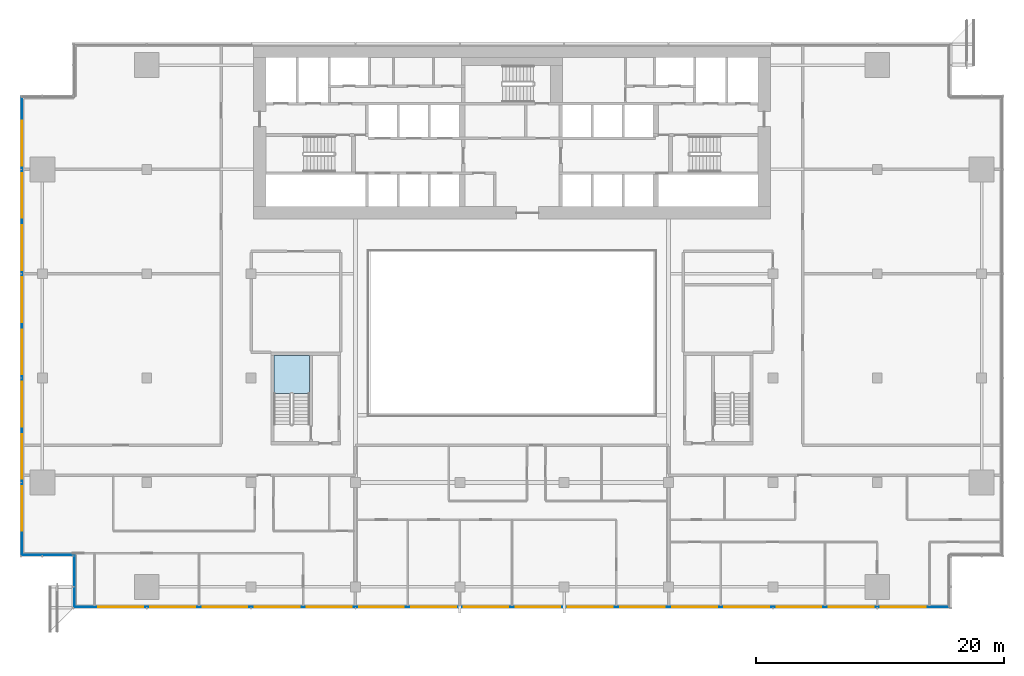
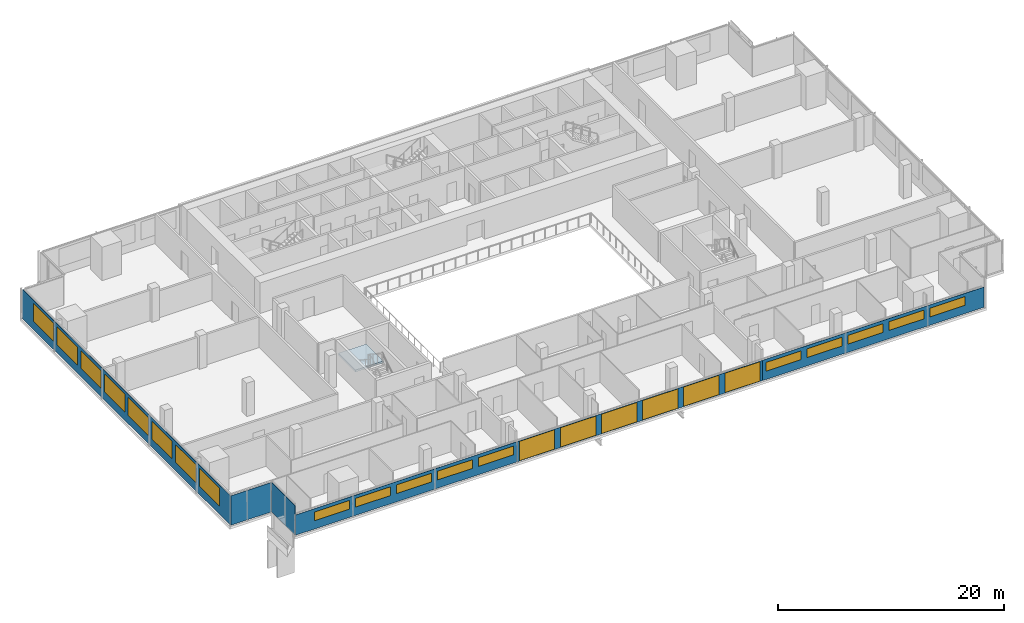
# One storey, part 15 of 26: 24 windows, 6 plates, 1 slab, 24 openings, 5 elements without a shape of their own.
"""IFC4 building model written with IfcOpenShell, lengths in metres."""

from ifc_helpers import new_model, si_unit, direction, frame, frame_2d, origin, place, context, subcontext, project, spatial, polyline, rectangle, outline, extrude, material, layer, layer_set, type_object, element, fill, aggregate, save


model = new_model("IFC4")

# Units and contexts
model_context = context("Model", 3, precision=1e-05, world=origin(), true_north=direction((0.0, 1.0)))
body_context = subcontext(model_context, "Body", "Model", "MODEL_VIEW")
ifc_project = project(units=[si_unit("LENGTHUNIT", "METRE"), si_unit("AREAUNIT", "SQUARE_METRE"), si_unit("VOLUMEUNIT", "CUBIC_METRE"), si_unit("PLANEANGLEUNIT", "RADIAN"), si_unit("MASSUNIT", "GRAM", prefix="KILO")], contexts=[model_context])

# Site, building, storey
site_placement = place(None, origin())
site = spatial("IfcSite", under=ifc_project, at=site_placement, CompositionType="ELEMENT")
building_placement = place(site_placement, origin())
building = spatial("IfcBuilding", under=site, at=building_placement, Name="Saffron Gate Tower", CompositionType="ELEMENT")
storey_placement = place(building_placement, frame((0.0, 0.0, 138.449951171875)))
storey = spatial("IfcBuildingStorey", under=building, at=storey_placement, Name="L33", CompositionType="ELEMENT", Elevation=138.449951171875)

# Curtain wall, plates, openings, windows
ifc_material_1 = material(Name="Aluminium, bronze anodised", Category="aluminium")
curtain_wall_type_1 = type_object("IfcCurtainWallType", Name="CWS1 curtain wall front facade", PredefinedType="NOTDEFINED", material=ifc_material_1)
curtain_wall_1_placement = place(storey_placement, origin())
curtain_wall_1 = element("IfcCurtainWall", 1, at=curtain_wall_1_placement, inside=storey, type_object=curtain_wall_type_1, Name="CWS1 run 1", PredefinedType="NOTDEFINED")
ifc_material_2 = material(Name="Clear low-iron laminated glass", Category="glass")
ifc_layer_1 = layer(ifc_material_2, 0.028076171875)
ifc_layer_set_1 = layer_set([ifc_layer_1], Name="CWS1 clear glass")
plate_type_1 = type_object("IfcPlateType", Name="CWS1 clear glass", PredefinedType="CURTAIN_PANEL", material=ifc_layer_set_1)
plate_1_placement = place(storey_placement, frame((75.030029296875, 30.174072265625, 0.0), z_axis=(0.0, 0.0, 1.0), x_axis=(1.0, 0.0, 0.0)))
plate_1 = element("IfcPlate", 2, at=plate_1_placement, type_object=plate_type_1, Name="CWS1 clear glass panel", PredefinedType="CURTAIN_PANEL", context=body_context, shape_type="SweptSolid", body=[
    extrude(rectangle(XDim=25.139892578125, YDim=0.028076171875, at=frame_2d((12.56982421875, 0.0))), origin(), (0.0, 0.0, 1.0), 2.18994140625),
])
opening_1_placement = place(plate_1_placement, frame((0.27001953125, 0.0, 0.050048828125)))
opening_1 = element("IfcOpeningElement", 3, at=opening_1_placement, cuts=plate_1, Name="Opening WA", PredefinedType="OPENING", context=body_context, shape_type="SweptSolid", body=[
    extrude(rectangle(XDim=3.60009765625, YDim=2.090087890625, at=frame_2d((1.800048828125, 1.044921875))), frame((0.0, 0.02392578125, 0.0), z_axis=(0.0, -1.0, 0.0), x_axis=(1.0, 0.0, 0.0)), (0.0, 0.0, 1.0), 0.048095703125),
])
opening_2_placement = place(plate_1_placement, frame((4.469970703125, 0.0, 0.050048828125)))
opening_2 = element("IfcOpeningElement", 4, at=opening_2_placement, cuts=plate_1, Name="Opening WA", PredefinedType="OPENING", context=body_context, shape_type="SweptSolid", body=[
    extrude(rectangle(XDim=3.60009765625, YDim=2.090087890625, at=frame_2d((1.800048828125, 1.044921875))), frame((0.0, 0.02392578125, 0.0), z_axis=(0.0, -1.0, 0.0), x_axis=(1.0, 0.0, 0.0)), (0.0, 0.0, 1.0), 0.048095703125),
])
opening_3_placement = place(plate_1_placement, frame((8.669921875, 0.0, 0.050048828125)))
opening_3 = element("IfcOpeningElement", 5, at=opening_3_placement, cuts=plate_1, Name="Opening WA", PredefinedType="OPENING", context=body_context, shape_type="SweptSolid", body=[
    extrude(rectangle(XDim=3.60009765625, YDim=2.090087890625, at=frame_2d((1.800048828125, 1.044921875))), frame((0.0, 0.02392578125, 0.0), z_axis=(0.0, -1.0, 0.0), x_axis=(1.0, 0.0, 0.0)), (0.0, 0.0, 1.0), 0.048095703125),
])
opening_4_placement = place(plate_1_placement, frame((12.8701171875, 0.0, 0.050048828125)))
opening_4 = element("IfcOpeningElement", 6, at=opening_4_placement, cuts=plate_1, Name="Opening WA", PredefinedType="OPENING", context=body_context, shape_type="SweptSolid", body=[
    extrude(rectangle(XDim=3.60009765625, YDim=2.090087890625, at=frame_2d((1.800048828125, 1.044921875))), frame((0.0, 0.02392578125, 0.0), z_axis=(0.0, -1.0, 0.0), x_axis=(1.0, 0.0, 0.0)), (0.0, 0.0, 1.0), 0.048095703125),
])
opening_5_placement = place(plate_1_placement, frame((17.070068359375, 0.0, 0.050048828125)))
opening_5 = element("IfcOpeningElement", 7, at=opening_5_placement, cuts=plate_1, Name="Opening WA", PredefinedType="OPENING", context=body_context, shape_type="SweptSolid", body=[
    extrude(rectangle(XDim=3.60009765625, YDim=2.090087890625, at=frame_2d((1.800048828125, 1.044921875))), frame((0.0, 0.02392578125, 0.0), z_axis=(0.0, -1.0, 0.0), x_axis=(1.0, 0.0, 0.0)), (0.0, 0.0, 1.0), 0.048095703125),
])
opening_6_placement = place(plate_1_placement, frame((21.27001953125, 0.0, 0.050048828125)))
opening_6 = element("IfcOpeningElement", 8, at=opening_6_placement, cuts=plate_1, Name="Opening WA", PredefinedType="OPENING", context=body_context, shape_type="SweptSolid", body=[
    extrude(rectangle(XDim=3.60009765625, YDim=2.090087890625, at=frame_2d((1.800048828125, 1.044921875))), frame((0.0, 0.02392578125, 0.0), z_axis=(0.0, -1.0, 0.0), x_axis=(1.0, 0.0, 0.0)), (0.0, 0.0, 1.0), 0.048095703125),
])
ifc_material_3 = material(Name="Clear low-iron laminated glass in bronze frame", Category="glass")
ifc_layer_2 = layer(ifc_material_3, 0.06005859375)
ifc_layer_set_2 = layer_set([ifc_layer_2], Name="WA operable atrium unit 3600x2090")
window_type_1 = type_object("IfcWindowType", Name="WA operable atrium unit 3600x2090", PartitioningType="DOUBLE_PANEL_HORIZONTAL", PredefinedType="WINDOW", material=ifc_layer_set_2)
window_1_placement = place(opening_1_placement, origin())
window_1 = element("IfcWindow", 9, at=window_1_placement, type_object=window_type_1, Name="WA operable atrium unit", OverallHeight=2.090087890625, OverallWidth=3.60009765625, PartitioningType="SINGLE_PANEL", PredefinedType="WINDOW", context=body_context, shape_type="SweptSolid", body=[
    extrude(rectangle(XDim=3.60009765625, YDim=2.090087890625, at=frame_2d((1.800048828125, 1.044921875))), frame((0.0, 0.013671875, 0.0), z_axis=(0.0, -1.0, 0.0), x_axis=(1.0, 0.0, 0.0)), (0.0, 0.0, 1.0), 0.027587890625),
])
fill(opening_1, window_1)
window_2_placement = place(opening_2_placement, origin())
window_2 = element("IfcWindow", 10, at=window_2_placement, type_object=window_type_1, Name="WA operable atrium unit", OverallHeight=2.090087890625, OverallWidth=3.60009765625, PartitioningType="SINGLE_PANEL", PredefinedType="WINDOW", context=body_context, shape_type="SweptSolid", body=[
    extrude(rectangle(XDim=3.60009765625, YDim=2.090087890625, at=frame_2d((1.800048828125, 1.044921875))), frame((0.0, 0.013671875, 0.0), z_axis=(0.0, -1.0, 0.0), x_axis=(1.0, 0.0, 0.0)), (0.0, 0.0, 1.0), 0.027587890625),
])
fill(opening_2, window_2)
window_3_placement = place(opening_3_placement, origin())
window_3 = element("IfcWindow", 11, at=window_3_placement, type_object=window_type_1, Name="WA operable atrium unit", OverallHeight=2.090087890625, OverallWidth=3.60009765625, PartitioningType="SINGLE_PANEL", PredefinedType="WINDOW", context=body_context, shape_type="SweptSolid", body=[
    extrude(rectangle(XDim=3.60009765625, YDim=2.090087890625, at=frame_2d((1.800048828125, 1.044921875))), frame((0.0, 0.013671875, 0.0), z_axis=(0.0, -1.0, 0.0), x_axis=(1.0, 0.0, 0.0)), (0.0, 0.0, 1.0), 0.027587890625),
])
fill(opening_3, window_3)
window_4_placement = place(opening_4_placement, origin())
window_4 = element("IfcWindow", 12, at=window_4_placement, type_object=window_type_1, Name="WA operable atrium unit", OverallHeight=2.090087890625, OverallWidth=3.60009765625, PartitioningType="SINGLE_PANEL", PredefinedType="WINDOW", context=body_context, shape_type="SweptSolid", body=[
    extrude(rectangle(XDim=3.60009765625, YDim=2.090087890625, at=frame_2d((1.800048828125, 1.044921875))), frame((0.0, 0.013671875, 0.0), z_axis=(0.0, -1.0, 0.0), x_axis=(1.0, 0.0, 0.0)), (0.0, 0.0, 1.0), 0.027587890625),
])
fill(opening_4, window_4)
window_5_placement = place(opening_5_placement, origin())
window_5 = element("IfcWindow", 13, at=window_5_placement, type_object=window_type_1, Name="WA operable atrium unit", OverallHeight=2.090087890625, OverallWidth=3.60009765625, PartitioningType="SINGLE_PANEL", PredefinedType="WINDOW", context=body_context, shape_type="SweptSolid", body=[
    extrude(rectangle(XDim=3.60009765625, YDim=2.090087890625, at=frame_2d((1.800048828125, 1.044921875))), frame((0.0, 0.013671875, 0.0), z_axis=(0.0, -1.0, 0.0), x_axis=(1.0, 0.0, 0.0)), (0.0, 0.0, 1.0), 0.027587890625),
])
fill(opening_5, window_5)
window_6_placement = place(opening_6_placement, origin())
window_6 = element("IfcWindow", 14, at=window_6_placement, type_object=window_type_1, Name="WA operable atrium unit", OverallHeight=2.090087890625, OverallWidth=3.60009765625, PartitioningType="SINGLE_PANEL", PredefinedType="WINDOW", context=body_context, shape_type="SweptSolid", body=[
    extrude(rectangle(XDim=3.60009765625, YDim=2.090087890625, at=frame_2d((1.800048828125, 1.044921875))), frame((0.0, 0.013671875, 0.0), z_axis=(0.0, -1.0, 0.0), x_axis=(1.0, 0.0, 0.0)), (0.0, 0.0, 1.0), 0.027587890625),
])
fill(opening_6, window_6)
ifc_material_4 = material(Name="Fritted bronze-tinted laminated glass", Category="glass")
ifc_layer_3 = layer(ifc_material_4, 0.028076171875)
ifc_layer_set_3 = layer_set([ifc_layer_3], Name="CWS1 fixed glass")
plate_type_2 = type_object("IfcPlateType", Name="CWS1 fixed glass", PredefinedType="CURTAIN_PANEL", material=ifc_layer_set_3)
plate_2_placement = place(storey_placement, frame((52.387939453125, 30.174072265625, 0.0), z_axis=(0.0, 0.0, 1.0), x_axis=(1.0, 0.0, 0.0)))
plate_2 = element("IfcPlate", 15, at=plate_2_placement, type_object=plate_type_2, Name="CWS1 glass panel", PredefinedType="CURTAIN_PANEL", context=body_context, shape_type="SweptSolid", body=[
    extrude(rectangle(XDim=22.64208984375, YDim=0.028076171875, at=frame_2d((11.321044921875, 0.0))), origin(), (0.0, 0.0, 1.0), 2.18994140625),
])
opening_7_placement = place(plate_2_placement, frame((1.912109375, 0.0, 0.89990234375)))
opening_7 = element("IfcOpeningElement", 16, at=opening_7_placement, cuts=plate_2, Name="Opening W13", PredefinedType="OPENING", context=body_context, shape_type="SweptSolid", body=[
    extrude(rectangle(XDim=3.60009765625, YDim=0.93994140625, at=frame_2d((1.800048828125, 0.469970703125))), frame((0.0, 0.02392578125, 0.0), z_axis=(0.0, -1.0, 0.0), x_axis=(1.0, 0.0, 0.0)), (0.0, 0.0, 1.0), 0.048095703125),
])
opening_8_placement = place(plate_2_placement, frame((6.112060546875, 0.0, 0.89990234375)))
opening_8 = element("IfcOpeningElement", 17, at=opening_8_placement, cuts=plate_2, Name="Opening W13", PredefinedType="OPENING", context=body_context, shape_type="SweptSolid", body=[
    extrude(rectangle(XDim=3.60009765625, YDim=0.93994140625, at=frame_2d((1.800048828125, 0.469970703125))), frame((0.0, 0.02392578125, 0.0), z_axis=(0.0, -1.0, 0.0), x_axis=(1.0, 0.0, 0.0)), (0.0, 0.0, 1.0), 0.048095703125),
])
opening_9_placement = place(plate_2_placement, frame((10.31201171875, 0.0, 0.89990234375)))
opening_9 = element("IfcOpeningElement", 18, at=opening_9_placement, cuts=plate_2, Name="Opening W13", PredefinedType="OPENING", context=body_context, shape_type="SweptSolid", body=[
    extrude(rectangle(XDim=3.60009765625, YDim=0.93994140625, at=frame_2d((1.800048828125, 0.469970703125))), frame((0.0, 0.02392578125, 0.0), z_axis=(0.0, -1.0, 0.0), x_axis=(1.0, 0.0, 0.0)), (0.0, 0.0, 1.0), 0.048095703125),
])
opening_10_placement = place(plate_2_placement, frame((14.511962890625, 0.0, 0.89990234375)))
opening_10 = element("IfcOpeningElement", 19, at=opening_10_placement, cuts=plate_2, Name="Opening W13", PredefinedType="OPENING", context=body_context, shape_type="SweptSolid", body=[
    extrude(rectangle(XDim=3.60009765625, YDim=0.93994140625, at=frame_2d((1.800048828125, 0.469970703125))), frame((0.0, 0.02392578125, 0.0), z_axis=(0.0, -1.0, 0.0), x_axis=(1.0, 0.0, 0.0)), (0.0, 0.0, 1.0), 0.048095703125),
])
opening_11_placement = place(plate_2_placement, frame((18.7119140625, 0.0, 0.89990234375)))
opening_11 = element("IfcOpeningElement", 20, at=opening_11_placement, cuts=plate_2, Name="Opening W13", PredefinedType="OPENING", context=body_context, shape_type="SweptSolid", body=[
    extrude(rectangle(XDim=3.60009765625, YDim=0.93994140625, at=frame_2d((1.800048828125, 0.469970703125))), frame((0.0, 0.02392578125, 0.0), z_axis=(0.0, -1.0, 0.0), x_axis=(1.0, 0.0, 0.0)), (0.0, 0.0, 1.0), 0.048095703125),
])
ifc_material_5 = material(Name="Fritted bronze-tinted laminated glass in bronze frame", Category="glass")
ifc_layer_4 = layer(ifc_material_5, 0.06005859375)
ifc_layer_set_4 = layer_set([ifc_layer_4], Name="W13 operable panel 3600x940")
window_type_2 = type_object("IfcWindowType", Name="W13 operable panel 3600x940", PartitioningType="DOUBLE_PANEL_HORIZONTAL", PredefinedType="WINDOW", material=ifc_layer_set_4)
window_7_placement = place(opening_7_placement, origin())
window_7 = element("IfcWindow", 21, at=window_7_placement, type_object=window_type_2, Name="W13 operable panel", OverallHeight=0.93994140625, OverallWidth=3.60009765625, PartitioningType="SINGLE_PANEL", PredefinedType="WINDOW", context=body_context, shape_type="SweptSolid", body=[
    extrude(rectangle(XDim=3.60009765625, YDim=0.93994140625, at=frame_2d((1.800048828125, 0.469970703125))), frame((0.0, 0.013671875, 0.0), z_axis=(0.0, -1.0, 0.0), x_axis=(1.0, 0.0, 0.0)), (0.0, 0.0, 1.0), 0.027587890625),
])
fill(opening_7, window_7)
window_8_placement = place(opening_8_placement, origin())
window_8 = element("IfcWindow", 22, at=window_8_placement, type_object=window_type_2, Name="W13 operable panel", OverallHeight=0.93994140625, OverallWidth=3.60009765625, PartitioningType="SINGLE_PANEL", PredefinedType="WINDOW", context=body_context, shape_type="SweptSolid", body=[
    extrude(rectangle(XDim=3.60009765625, YDim=0.93994140625, at=frame_2d((1.800048828125, 0.469970703125))), frame((0.0, 0.013671875, 0.0), z_axis=(0.0, -1.0, 0.0), x_axis=(1.0, 0.0, 0.0)), (0.0, 0.0, 1.0), 0.027587890625),
])
fill(opening_8, window_8)
window_9_placement = place(opening_9_placement, origin())
window_9 = element("IfcWindow", 23, at=window_9_placement, type_object=window_type_2, Name="W13 operable panel", OverallHeight=0.93994140625, OverallWidth=3.60009765625, PartitioningType="SINGLE_PANEL", PredefinedType="WINDOW", context=body_context, shape_type="SweptSolid", body=[
    extrude(rectangle(XDim=3.60009765625, YDim=0.93994140625, at=frame_2d((1.800048828125, 0.469970703125))), frame((0.0, 0.013671875, 0.0), z_axis=(0.0, -1.0, 0.0), x_axis=(1.0, 0.0, 0.0)), (0.0, 0.0, 1.0), 0.027587890625),
])
fill(opening_9, window_9)
window_10_placement = place(opening_10_placement, origin())
window_10 = element("IfcWindow", 24, at=window_10_placement, type_object=window_type_2, Name="W13 operable panel", OverallHeight=0.93994140625, OverallWidth=3.60009765625, PartitioningType="SINGLE_PANEL", PredefinedType="WINDOW", context=body_context, shape_type="SweptSolid", body=[
    extrude(rectangle(XDim=3.60009765625, YDim=0.93994140625, at=frame_2d((1.800048828125, 0.469970703125))), frame((0.0, 0.013671875, 0.0), z_axis=(0.0, -1.0, 0.0), x_axis=(1.0, 0.0, 0.0)), (0.0, 0.0, 1.0), 0.027587890625),
])
fill(opening_10, window_10)
window_11_placement = place(opening_11_placement, origin())
window_11 = element("IfcWindow", 25, at=window_11_placement, type_object=window_type_2, Name="W13 operable panel", OverallHeight=0.93994140625, OverallWidth=3.60009765625, PartitioningType="SINGLE_PANEL", PredefinedType="WINDOW", context=body_context, shape_type="SweptSolid", body=[
    extrude(rectangle(XDim=3.60009765625, YDim=0.93994140625, at=frame_2d((1.800048828125, 0.469970703125))), frame((0.0, 0.013671875, 0.0), z_axis=(0.0, -1.0, 0.0), x_axis=(1.0, 0.0, 0.0)), (0.0, 0.0, 1.0), 0.027587890625),
])
fill(opening_11, window_11)
plate_3_placement = place(storey_placement, frame((100.169921875, 30.174072265625, 0.0), z_axis=(0.0, 0.0, 1.0), x_axis=(1.0, 0.0, 0.0)))
plate_3 = element("IfcPlate", 26, at=plate_3_placement, type_object=plate_type_2, Name="CWS1 glass panel", PredefinedType="CURTAIN_PANEL", context=body_context, shape_type="SweptSolid", body=[
    extrude(rectangle(XDim=22.64208984375, YDim=0.028076171875, at=frame_2d((11.321044921875, 0.0))), origin(), (0.0, 0.0, 1.0), 2.18994140625),
])
opening_12_placement = place(plate_3_placement, frame((0.330078125, 0.0, 0.89990234375)))
opening_12 = element("IfcOpeningElement", 27, at=opening_12_placement, cuts=plate_3, Name="Opening W13", PredefinedType="OPENING", context=body_context, shape_type="SweptSolid", body=[
    extrude(rectangle(XDim=3.60009765625, YDim=0.93994140625, at=frame_2d((1.800048828125, 0.469970703125))), frame((0.0, 0.02392578125, 0.0), z_axis=(0.0, -1.0, 0.0), x_axis=(1.0, 0.0, 0.0)), (0.0, 0.0, 1.0), 0.048095703125),
])
opening_13_placement = place(plate_3_placement, frame((4.530029296875, 0.0, 0.89990234375)))
opening_13 = element("IfcOpeningElement", 28, at=opening_13_placement, cuts=plate_3, Name="Opening W13", PredefinedType="OPENING", context=body_context, shape_type="SweptSolid", body=[
    extrude(rectangle(XDim=3.60009765625, YDim=0.93994140625, at=frame_2d((1.800048828125, 0.469970703125))), frame((0.0, 0.02392578125, 0.0), z_axis=(0.0, -1.0, 0.0), x_axis=(1.0, 0.0, 0.0)), (0.0, 0.0, 1.0), 0.048095703125),
])
opening_14_placement = place(plate_3_placement, frame((8.72998046875, 0.0, 0.89990234375)))
opening_14 = element("IfcOpeningElement", 29, at=opening_14_placement, cuts=plate_3, Name="Opening W13", PredefinedType="OPENING", context=body_context, shape_type="SweptSolid", body=[
    extrude(rectangle(XDim=3.60009765625, YDim=0.93994140625, at=frame_2d((1.800048828125, 0.469970703125))), frame((0.0, 0.02392578125, 0.0), z_axis=(0.0, -1.0, 0.0), x_axis=(1.0, 0.0, 0.0)), (0.0, 0.0, 1.0), 0.048095703125),
])
opening_15_placement = place(plate_3_placement, frame((12.929931640625, 0.0, 0.89990234375)))
opening_15 = element("IfcOpeningElement", 30, at=opening_15_placement, cuts=plate_3, Name="Opening W13", PredefinedType="OPENING", context=body_context, shape_type="SweptSolid", body=[
    extrude(rectangle(XDim=3.60009765625, YDim=0.93994140625, at=frame_2d((1.800048828125, 0.469970703125))), frame((0.0, 0.02392578125, 0.0), z_axis=(0.0, -1.0, 0.0), x_axis=(1.0, 0.0, 0.0)), (0.0, 0.0, 1.0), 0.048095703125),
])
opening_16_placement = place(plate_3_placement, frame((17.1298828125, 0.0, 0.89990234375)))
opening_16 = element("IfcOpeningElement", 31, at=opening_16_placement, cuts=plate_3, Name="Opening W13", PredefinedType="OPENING", context=body_context, shape_type="SweptSolid", body=[
    extrude(rectangle(XDim=3.60009765625, YDim=0.93994140625, at=frame_2d((1.800048828125, 0.469970703125))), frame((0.0, 0.02392578125, 0.0), z_axis=(0.0, -1.0, 0.0), x_axis=(1.0, 0.0, 0.0)), (0.0, 0.0, 1.0), 0.048095703125),
])
window_12_placement = place(opening_12_placement, origin())
window_12 = element("IfcWindow", 32, at=window_12_placement, type_object=window_type_2, Name="W13 operable panel", OverallHeight=0.93994140625, OverallWidth=3.60009765625, PartitioningType="SINGLE_PANEL", PredefinedType="WINDOW", context=body_context, shape_type="SweptSolid", body=[
    extrude(rectangle(XDim=3.60009765625, YDim=0.93994140625, at=frame_2d((1.800048828125, 0.469970703125))), frame((0.0, 0.013671875, 0.0), z_axis=(0.0, -1.0, 0.0), x_axis=(1.0, 0.0, 0.0)), (0.0, 0.0, 1.0), 0.027587890625),
])
fill(opening_12, window_12)
window_13_placement = place(opening_13_placement, origin())
window_13 = element("IfcWindow", 33, at=window_13_placement, type_object=window_type_2, Name="W13 operable panel", OverallHeight=0.93994140625, OverallWidth=3.60009765625, PartitioningType="SINGLE_PANEL", PredefinedType="WINDOW", context=body_context, shape_type="SweptSolid", body=[
    extrude(rectangle(XDim=3.60009765625, YDim=0.93994140625, at=frame_2d((1.800048828125, 0.469970703125))), frame((0.0, 0.013671875, 0.0), z_axis=(0.0, -1.0, 0.0), x_axis=(1.0, 0.0, 0.0)), (0.0, 0.0, 1.0), 0.027587890625),
])
fill(opening_13, window_13)
window_14_placement = place(opening_14_placement, origin())
window_14 = element("IfcWindow", 34, at=window_14_placement, type_object=window_type_2, Name="W13 operable panel", OverallHeight=0.93994140625, OverallWidth=3.60009765625, PartitioningType="SINGLE_PANEL", PredefinedType="WINDOW", context=body_context, shape_type="SweptSolid", body=[
    extrude(rectangle(XDim=3.60009765625, YDim=0.93994140625, at=frame_2d((1.800048828125, 0.469970703125))), frame((0.0, 0.013671875, 0.0), z_axis=(0.0, -1.0, 0.0), x_axis=(1.0, 0.0, 0.0)), (0.0, 0.0, 1.0), 0.027587890625),
])
fill(opening_14, window_14)
window_15_placement = place(opening_15_placement, origin())
window_15 = element("IfcWindow", 35, at=window_15_placement, type_object=window_type_2, Name="W13 operable panel", OverallHeight=0.93994140625, OverallWidth=3.60009765625, PartitioningType="SINGLE_PANEL", PredefinedType="WINDOW", context=body_context, shape_type="SweptSolid", body=[
    extrude(rectangle(XDim=3.60009765625, YDim=0.93994140625, at=frame_2d((1.800048828125, 0.469970703125))), frame((0.0, 0.013671875, 0.0), z_axis=(0.0, -1.0, 0.0), x_axis=(1.0, 0.0, 0.0)), (0.0, 0.0, 1.0), 0.027587890625),
])
fill(opening_15, window_15)
window_16_placement = place(opening_16_placement, origin())
window_16 = element("IfcWindow", 36, at=window_16_placement, type_object=window_type_2, Name="W13 operable panel", OverallHeight=0.93994140625, OverallWidth=3.60009765625, PartitioningType="SINGLE_PANEL", PredefinedType="WINDOW", context=body_context, shape_type="SweptSolid", body=[
    extrude(rectangle(XDim=3.60009765625, YDim=0.93994140625, at=frame_2d((1.800048828125, 0.469970703125))), frame((0.0, 0.013671875, 0.0), z_axis=(0.0, -1.0, 0.0), x_axis=(1.0, 0.0, 0.0)), (0.0, 0.0, 1.0), 0.027587890625),
])
fill(opening_16, window_16)
aggregate(curtain_wall_1, [plate_2, plate_3, plate_1, window_7, window_8, window_9, window_10, window_11, window_12, window_13, window_14, window_15, window_16, window_1, window_2, window_3, window_4, window_5, window_6])

# Curtain wall, plate, openings, windows
curtain_wall_type_2 = type_object("IfcCurtainWallType", Name="CWS2 curtain wall side facades", PredefinedType="NOTDEFINED", material=ifc_material_1)
curtain_wall_2_placement = place(storey_placement, origin())
curtain_wall_2 = element("IfcCurtainWall", 37, at=curtain_wall_2_placement, inside=storey, type_object=curtain_wall_type_2, Name="CWS2 run 10", PredefinedType="NOTDEFINED")
ifc_layer_5 = layer(ifc_material_4, 0.028076171875)
ifc_layer_set_5 = layer_set([ifc_layer_5], Name="CWS2 fixed glass")
plate_type_3 = type_object("IfcPlateType", Name="CWS2 fixed glass", PredefinedType="CURTAIN_PANEL", material=ifc_layer_set_5)
plate_4_placement = place(storey_placement, frame((48.174072265625, 71.2119140625, 0.0), z_axis=(0.0, 0.0, 1.0), x_axis=(0.0, -1.0, 0.0)))
plate_4 = element("IfcPlate", 38, at=plate_4_placement, type_object=plate_type_3, Name="CWS2 glass panel", PredefinedType="CURTAIN_PANEL", context=body_context, shape_type="SweptSolid", body=[
    extrude(rectangle(XDim=36.823974609375, YDim=0.028076171875, at=frame_2d((18.412109375, 0.0))), origin(), (0.0, 0.0, 1.0), 3.179931640625),
])
opening_17_placement = place(plate_4_placement, frame((1.912109375, 0.0, 0.89990234375)))
opening_17 = element("IfcOpeningElement", 39, at=opening_17_placement, cuts=plate_4, Name="Opening W2", PredefinedType="OPENING", context=body_context, shape_type="SweptSolid", body=[
    extrude(rectangle(XDim=3.60009765625, YDim=1.929931640625, at=frame_2d((1.800048828125, 0.96484375))), frame((0.0, 0.02392578125, 0.0), z_axis=(0.0, -1.0, 0.0), x_axis=(1.0, 0.0, 0.0)), (0.0, 0.0, 1.0), 0.048095703125),
])
opening_18_placement = place(plate_4_placement, frame((6.112060546875, 0.0, 0.89990234375)))
opening_18 = element("IfcOpeningElement", 40, at=opening_18_placement, cuts=plate_4, Name="Opening W2", PredefinedType="OPENING", context=body_context, shape_type="SweptSolid", body=[
    extrude(rectangle(XDim=3.60009765625, YDim=1.929931640625, at=frame_2d((1.800048828125, 0.96484375))), frame((0.0, 0.02392578125, 0.0), z_axis=(0.0, -1.0, 0.0), x_axis=(1.0, 0.0, 0.0)), (0.0, 0.0, 1.0), 0.048095703125),
])
opening_19_placement = place(plate_4_placement, frame((10.31201171875, 0.0, 0.89990234375)))
opening_19 = element("IfcOpeningElement", 41, at=opening_19_placement, cuts=plate_4, Name="Opening W2", PredefinedType="OPENING", context=body_context, shape_type="SweptSolid", body=[
    extrude(rectangle(XDim=3.60009765625, YDim=1.929931640625, at=frame_2d((1.800048828125, 0.96484375))), frame((0.0, 0.02392578125, 0.0), z_axis=(0.0, -1.0, 0.0), x_axis=(1.0, 0.0, 0.0)), (0.0, 0.0, 1.0), 0.048095703125),
])
opening_20_placement = place(plate_4_placement, frame((14.511962890625, 0.0, 0.89990234375)))
opening_20 = element("IfcOpeningElement", 42, at=opening_20_placement, cuts=plate_4, Name="Opening W2", PredefinedType="OPENING", context=body_context, shape_type="SweptSolid", body=[
    extrude(rectangle(XDim=3.60009765625, YDim=1.929931640625, at=frame_2d((1.800048828125, 0.96484375))), frame((0.0, 0.02392578125, 0.0), z_axis=(0.0, -1.0, 0.0), x_axis=(1.0, 0.0, 0.0)), (0.0, 0.0, 1.0), 0.048095703125),
])
opening_21_placement = place(plate_4_placement, frame((18.7119140625, 0.0, 0.89990234375)))
opening_21 = element("IfcOpeningElement", 43, at=opening_21_placement, cuts=plate_4, Name="Opening W2", PredefinedType="OPENING", context=body_context, shape_type="SweptSolid", body=[
    extrude(rectangle(XDim=3.60009765625, YDim=1.929931640625, at=frame_2d((1.800048828125, 0.96484375))), frame((0.0, 0.02392578125, 0.0), z_axis=(0.0, -1.0, 0.0), x_axis=(1.0, 0.0, 0.0)), (0.0, 0.0, 1.0), 0.048095703125),
])
opening_22_placement = place(plate_4_placement, frame((22.912109375, 0.0, 0.89990234375)))
opening_22 = element("IfcOpeningElement", 44, at=opening_22_placement, cuts=plate_4, Name="Opening W2", PredefinedType="OPENING", context=body_context, shape_type="SweptSolid", body=[
    extrude(rectangle(XDim=3.60009765625, YDim=1.929931640625, at=frame_2d((1.800048828125, 0.96484375))), frame((0.0, 0.02392578125, 0.0), z_axis=(0.0, -1.0, 0.0), x_axis=(1.0, 0.0, 0.0)), (0.0, 0.0, 1.0), 0.048095703125),
])
opening_23_placement = place(plate_4_placement, frame((27.112060546875, 0.0, 0.89990234375)))
opening_23 = element("IfcOpeningElement", 45, at=opening_23_placement, cuts=plate_4, Name="Opening W2", PredefinedType="OPENING", context=body_context, shape_type="SweptSolid", body=[
    extrude(rectangle(XDim=3.60009765625, YDim=1.929931640625, at=frame_2d((1.800048828125, 0.96484375))), frame((0.0, 0.02392578125, 0.0), z_axis=(0.0, -1.0, 0.0), x_axis=(1.0, 0.0, 0.0)), (0.0, 0.0, 1.0), 0.048095703125),
])
opening_24_placement = place(plate_4_placement, frame((31.31201171875, 0.0, 0.89990234375)))
opening_24 = element("IfcOpeningElement", 46, at=opening_24_placement, cuts=plate_4, Name="Opening W2", PredefinedType="OPENING", context=body_context, shape_type="SweptSolid", body=[
    extrude(rectangle(XDim=3.60009765625, YDim=1.929931640625, at=frame_2d((1.800048828125, 0.96484375))), frame((0.0, 0.02392578125, 0.0), z_axis=(0.0, -1.0, 0.0), x_axis=(1.0, 0.0, 0.0)), (0.0, 0.0, 1.0), 0.048095703125),
])
ifc_layer_6 = layer(ifc_material_5, 0.06005859375)
ifc_layer_set_6 = layer_set([ifc_layer_6], Name="W2 operable panel 3600x1930")
window_type_3 = type_object("IfcWindowType", Name="W2 operable panel 3600x1930", PartitioningType="DOUBLE_PANEL_HORIZONTAL", PredefinedType="WINDOW", material=ifc_layer_set_6)
window_17_placement = place(opening_17_placement, origin())
window_17 = element("IfcWindow", 47, at=window_17_placement, type_object=window_type_3, Name="W2 operable panel", OverallHeight=1.929931640625, OverallWidth=3.60009765625, PartitioningType="SINGLE_PANEL", PredefinedType="WINDOW", context=body_context, shape_type="SweptSolid", body=[
    extrude(rectangle(XDim=3.60009765625, YDim=1.929931640625, at=frame_2d((1.800048828125, 0.96484375))), frame((0.0, 0.013671875, 0.0), z_axis=(0.0, -1.0, 0.0), x_axis=(1.0, 0.0, 0.0)), (0.0, 0.0, 1.0), 0.027587890625),
])
fill(opening_17, window_17)
window_18_placement = place(opening_18_placement, origin())
window_18 = element("IfcWindow", 48, at=window_18_placement, type_object=window_type_3, Name="W2 operable panel", OverallHeight=1.929931640625, OverallWidth=3.60009765625, PartitioningType="SINGLE_PANEL", PredefinedType="WINDOW", context=body_context, shape_type="SweptSolid", body=[
    extrude(rectangle(XDim=3.60009765625, YDim=1.929931640625, at=frame_2d((1.800048828125, 0.96484375))), frame((0.0, 0.013671875, 0.0), z_axis=(0.0, -1.0, 0.0), x_axis=(1.0, 0.0, 0.0)), (0.0, 0.0, 1.0), 0.027587890625),
])
fill(opening_18, window_18)
window_19_placement = place(opening_19_placement, origin())
window_19 = element("IfcWindow", 49, at=window_19_placement, type_object=window_type_3, Name="W2 operable panel", OverallHeight=1.929931640625, OverallWidth=3.60009765625, PartitioningType="SINGLE_PANEL", PredefinedType="WINDOW", context=body_context, shape_type="SweptSolid", body=[
    extrude(rectangle(XDim=3.60009765625, YDim=1.929931640625, at=frame_2d((1.800048828125, 0.96484375))), frame((0.0, 0.013671875, 0.0), z_axis=(0.0, -1.0, 0.0), x_axis=(1.0, 0.0, 0.0)), (0.0, 0.0, 1.0), 0.027587890625),
])
fill(opening_19, window_19)
window_20_placement = place(opening_20_placement, origin())
window_20 = element("IfcWindow", 50, at=window_20_placement, type_object=window_type_3, Name="W2 operable panel", OverallHeight=1.929931640625, OverallWidth=3.60009765625, PartitioningType="SINGLE_PANEL", PredefinedType="WINDOW", context=body_context, shape_type="SweptSolid", body=[
    extrude(rectangle(XDim=3.60009765625, YDim=1.929931640625, at=frame_2d((1.800048828125, 0.96484375))), frame((0.0, 0.013671875, 0.0), z_axis=(0.0, -1.0, 0.0), x_axis=(1.0, 0.0, 0.0)), (0.0, 0.0, 1.0), 0.027587890625),
])
fill(opening_20, window_20)
window_21_placement = place(opening_21_placement, origin())
window_21 = element("IfcWindow", 51, at=window_21_placement, type_object=window_type_3, Name="W2 operable panel", OverallHeight=1.929931640625, OverallWidth=3.60009765625, PartitioningType="SINGLE_PANEL", PredefinedType="WINDOW", context=body_context, shape_type="SweptSolid", body=[
    extrude(rectangle(XDim=3.60009765625, YDim=1.929931640625, at=frame_2d((1.800048828125, 0.96484375))), frame((0.0, 0.013671875, 0.0), z_axis=(0.0, -1.0, 0.0), x_axis=(1.0, 0.0, 0.0)), (0.0, 0.0, 1.0), 0.027587890625),
])
fill(opening_21, window_21)
window_22_placement = place(opening_22_placement, origin())
window_22 = element("IfcWindow", 52, at=window_22_placement, type_object=window_type_3, Name="W2 operable panel", OverallHeight=1.929931640625, OverallWidth=3.60009765625, PartitioningType="SINGLE_PANEL", PredefinedType="WINDOW", context=body_context, shape_type="SweptSolid", body=[
    extrude(rectangle(XDim=3.60009765625, YDim=1.929931640625, at=frame_2d((1.800048828125, 0.96484375))), frame((0.0, 0.013671875, 0.0), z_axis=(0.0, -1.0, 0.0), x_axis=(1.0, 0.0, 0.0)), (0.0, 0.0, 1.0), 0.027587890625),
])
fill(opening_22, window_22)
window_23_placement = place(opening_23_placement, origin())
window_23 = element("IfcWindow", 53, at=window_23_placement, type_object=window_type_3, Name="W2 operable panel", OverallHeight=1.929931640625, OverallWidth=3.60009765625, PartitioningType="SINGLE_PANEL", PredefinedType="WINDOW", context=body_context, shape_type="SweptSolid", body=[
    extrude(rectangle(XDim=3.60009765625, YDim=1.929931640625, at=frame_2d((1.800048828125, 0.96484375))), frame((0.0, 0.013671875, 0.0), z_axis=(0.0, -1.0, 0.0), x_axis=(1.0, 0.0, 0.0)), (0.0, 0.0, 1.0), 0.027587890625),
])
fill(opening_23, window_23)
window_24_placement = place(opening_24_placement, origin())
window_24 = element("IfcWindow", 54, at=window_24_placement, type_object=window_type_3, Name="W2 operable panel", OverallHeight=1.929931640625, OverallWidth=3.60009765625, PartitioningType="SINGLE_PANEL", PredefinedType="WINDOW", context=body_context, shape_type="SweptSolid", body=[
    extrude(rectangle(XDim=3.60009765625, YDim=1.929931640625, at=frame_2d((1.800048828125, 0.96484375))), frame((0.0, 0.013671875, 0.0), z_axis=(0.0, -1.0, 0.0), x_axis=(1.0, 0.0, 0.0)), (0.0, 0.0, 1.0), 0.027587890625),
])
fill(opening_24, window_24)
aggregate(curtain_wall_2, [plate_4, window_17, window_18, window_19, window_20, window_21, window_22, window_23, window_24])

# Curtain wall, plate
curtain_wall_type_3 = type_object("IfcCurtainWallType", Name="CWS4 curtain wall corner returns", PredefinedType="NOTDEFINED", material=ifc_material_1)
curtain_wall_3_placement = place(storey_placement, origin())
curtain_wall_3 = element("IfcCurtainWall", 55, at=curtain_wall_3_placement, inside=storey, type_object=curtain_wall_type_3, Name="CWS4 run 11", PredefinedType="NOTDEFINED")
ifc_layer_7 = layer(ifc_material_4, 0.028076171875)
ifc_layer_set_7 = layer_set([ifc_layer_7], Name="CWS4 fixed glass")
plate_type_4 = type_object("IfcPlateType", Name="CWS4 fixed glass", PredefinedType="CURTAIN_PANEL", material=ifc_layer_set_7)
plate_5_placement = place(storey_placement, frame((48.18798828125, 34.3740234375, 0.0), z_axis=(0.0, 0.0, 1.0), x_axis=(1.0, 0.0, 0.0)))
plate_5 = element("IfcPlate", 56, at=plate_5_placement, type_object=plate_type_4, Name="CWS4 glass panel", PredefinedType="CURTAIN_PANEL", context=body_context, shape_type="SweptSolid", body=[
    extrude(rectangle(XDim=4.172119140625, YDim=0.028076171875, at=frame_2d((2.0859375, 0.0))), origin(), (0.0, 0.0, 1.0), 3.179931640625),
])
aggregate(curtain_wall_3, [plate_5])

curtain_wall_4_placement = place(storey_placement, origin())
curtain_wall_4 = element("IfcCurtainWall", 57, at=curtain_wall_4_placement, inside=storey, type_object=curtain_wall_type_3, Name="CWS4 run 12", PredefinedType="NOTDEFINED")
plate_6_placement = place(storey_placement, frame((52.3740234375, 34.360107421875, 0.0), z_axis=(0.0, 0.0, 1.0), x_axis=(0.0, -1.0, 0.0)))
plate_6 = element("IfcPlate", 58, at=plate_6_placement, type_object=plate_type_4, Name="CWS4 glass panel", PredefinedType="CURTAIN_PANEL", context=body_context, shape_type="SweptSolid", body=[
    extrude(rectangle(XDim=4.172119140625, YDim=0.028076171875, at=frame_2d((2.0859375, 0.0))), origin(), (0.0, 0.0, 1.0), 3.179931640625),
])
aggregate(curtain_wall_4, [plate_6])

# Stair, slab
ifc_material_6 = material(Name="Concrete C40", Category="concrete")
stair_type = type_object("IfcStairType", Name="ST7 Stair 1350 wide, 20 risers of 180", PredefinedType="HALF_TURN_STAIR", material=ifc_material_6)
stair_placement = place(storey_placement, origin())
stair = element("IfcStair", 59, at=stair_placement, inside=storey, type_object=stair_type, Name="L33 Exit stair D", PredefinedType="HALF_TURN_STAIR")
ifc_layer_8 = layer(ifc_material_6, 0.199951171875)
ifc_layer_set_8 = layer_set([ifc_layer_8], Name="SL1 Stair landing 200")
slab_type = type_object("IfcSlabType", Name="SL1 Stair landing 200", PredefinedType="LANDING", material=ifc_layer_set_8)
slab_placement = place(storey_placement, frame((0.0, 0.0, 1.60009765625)))
slab = element("IfcSlab", 60, at=slab_placement, type_object=slab_type, Name="ST-D landing 1", PredefinedType="LANDING", context=body_context, shape_type="SweptSolid", body=[
    extrude(outline(polyline([(71.300048828125, 47.3701171875), (71.300048828125, 50.39990234375), (68.449951171875, 50.39990234375), (68.449951171875, 47.3701171875), (71.300048828125, 47.3701171875)])), origin(), (0.0, 0.0, 1.0), 0.199951171875),
])
aggregate(stair, [slab])

save(model, "model.ifc")
